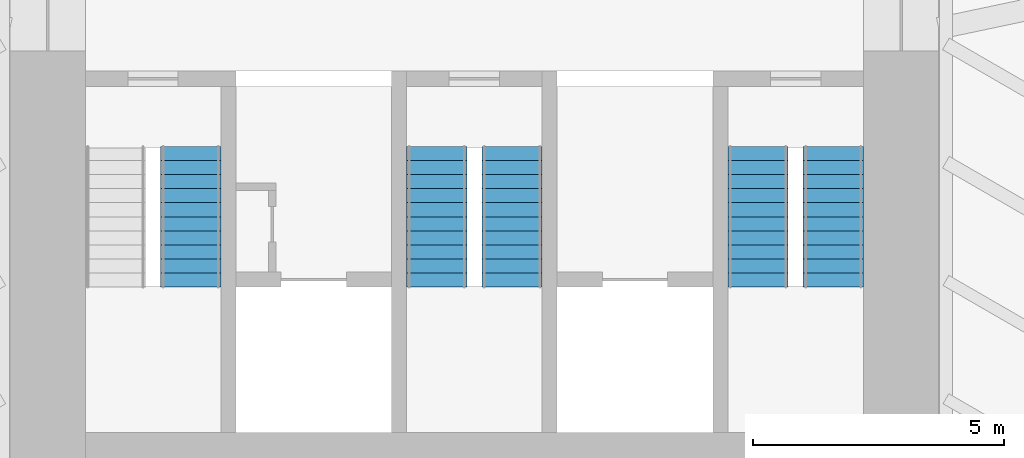
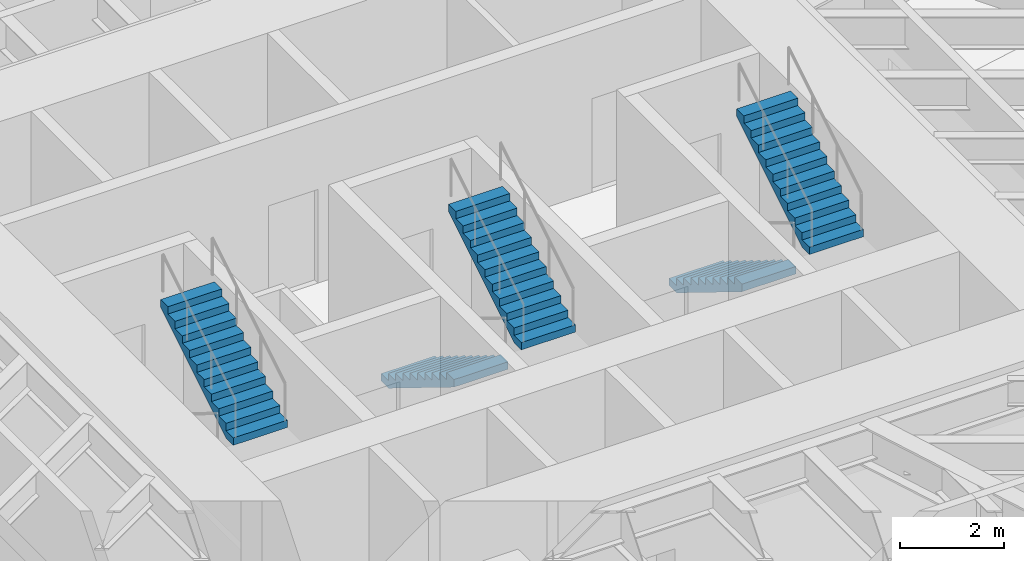
# One storey, part 16 of 17: 5 stair flights, 3 elements without a shape of their own.
"""IFC4 building model written with IfcOpenShell, lengths in metres."""

from ifc_helpers import new_model, si_unit, direction, frame, origin, place, context, subcontext, project, spatial, polyline, outline, extrude, material, type_object, element, aggregate, save


model = new_model("IFC4")

# Units and contexts
model_context = context("Model", 3, precision=1e-05, world=origin(), true_north=direction((0.0, 1.0)))
body_context = subcontext(model_context, "Body", "Model", "MODEL_VIEW")
ifc_project = project(units=[si_unit("LENGTHUNIT", "METRE"), si_unit("AREAUNIT", "SQUARE_METRE"), si_unit("VOLUMEUNIT", "CUBIC_METRE"), si_unit("PLANEANGLEUNIT", "RADIAN"), si_unit("MASSUNIT", "GRAM", prefix="KILO")], contexts=[model_context])

# Site, building, storey
site_placement = place(None, origin())
site = spatial("IfcSite", under=ifc_project, at=site_placement, CompositionType="ELEMENT")
building_placement = place(site_placement, origin())
building = spatial("IfcBuilding", under=site, at=building_placement, Name="Sandreach Pilgrim Tower", CompositionType="ELEMENT")
storey_placement = place(building_placement, frame((0.0, 0.0, 72.39990234375)))
storey = spatial("IfcBuildingStorey", under=building, at=storey_placement, Name="L17", CompositionType="ELEMENT", Elevation=72.39990234375)

# Stair, stair flight
ifc_material_1 = material(Name="Concrete 8000 psi", Category="concrete")
stair_type = type_object("IfcStairType", Name="Core exit stair", PredefinedType="HALF_TURN_STAIR", material=ifc_material_1)
stair_1_placement = place(storey_placement, origin())
stair_1 = element("IfcStair", 1, at=stair_1_placement, inside=storey, type_object=stair_type, Name="Exit stair ST1 L17", PredefinedType="HALF_TURN_STAIR")
ifc_material_2 = material(Name="Concrete 8000 psi", Category="concrete")
stair_flight_type = type_object("IfcStairFlightType", Name="Core stair flight 1200", PredefinedType="STRAIGHT", material=ifc_material_2)
stair_flight_1_placement = place(storey_placement, frame((-5.64990234375, -3.199951171875, 1.900146484375), z_axis=(0.0, 0.0, 1.0), x_axis=(0.0, 1.0, 0.0)))
stair_flight_1 = element("IfcStairFlight", 2, at=stair_flight_1_placement, type_object=stair_flight_type, Name="ST1 flight 2", NumberOfRisers=11, NumberOfTreads=10, PredefinedType="STRAIGHT", RiserHeight=0.172727273, TreadLength=0.28, context=body_context, shape_type="SweptSolid", body=[
    extrude(outline(polyline([(0.0, 0.0), (0.0, 0.172607421875), (0.280029296875, 0.172607421875), (0.280029296875, 0.345458984375), (0.56005859375, 0.345458984375), (0.56005859375, 0.51806640625), (0.840087890625, 0.51806640625), (0.840087890625, 0.69091796875), (1.1201171875, 0.69091796875), (1.1201171875, 0.863525390625), (1.39990234375, 0.863525390625), (1.39990234375, 1.036376953125), (1.679931640625, 1.036376953125), (1.679931640625, 1.208984375), (1.9599609375, 1.208984375), (1.9599609375, 1.3818359375), (2.239990234375, 1.3818359375), (2.239990234375, 1.554443359375), (2.52001953125, 1.554443359375), (2.52001953125, 1.727294921875), (2.800048828125, 1.727294921875), (2.800048828125, 1.89990234375), (2.800048828125, 1.551025390625), (0.285400390625, 0.0), (0.0, 0.0)])), frame((0.0, 0.60009765625, 0.0), z_axis=(0.0, -1.0, 0.0), x_axis=(1.0, 0.0, 0.0)), (0.0, 0.0, 1.0), 1.199951171875),
])
aggregate(stair_1, [stair_flight_1])

# Stair, stair flights
stair_2_placement = place(storey_placement, origin())
stair_2 = element("IfcStair", 3, at=stair_2_placement, inside=storey, type_object=stair_type, Name="Exit stair ST3 L17", PredefinedType="HALF_TURN_STAIR")
stair_flight_2_placement = place(storey_placement, frame((-0.75, -0.39990234375, 0.0), z_axis=(0.0, 0.0, 1.0), x_axis=(0.0, -1.0, 0.0)))
stair_flight_2 = element("IfcStairFlight", 4, at=stair_flight_2_placement, type_object=stair_flight_type, Name="ST3 flight 1", NumberOfRisers=11, NumberOfTreads=10, PredefinedType="STRAIGHT", RiserHeight=0.172727273, TreadLength=0.28, context=body_context, shape_type="SweptSolid", body=[
    extrude(outline(polyline([(0.0, 0.0), (0.0, 0.172607421875), (0.280029296875, 0.172607421875), (0.280029296875, 0.345458984375), (0.56005859375, 0.345458984375), (0.56005859375, 0.51806640625), (0.840087890625, 0.51806640625), (0.840087890625, 0.69091796875), (1.1201171875, 0.69091796875), (1.1201171875, 0.863525390625), (1.39990234375, 0.863525390625), (1.39990234375, 1.036376953125), (1.679931640625, 1.036376953125), (1.679931640625, 1.208984375), (1.9599609375, 1.208984375), (1.9599609375, 1.3818359375), (2.239990234375, 1.3818359375), (2.239990234375, 1.554443359375), (2.52001953125, 1.554443359375), (2.52001953125, 1.727294921875), (2.800048828125, 1.727294921875), (2.800048828125, 1.89990234375), (2.800048828125, 1.551025390625), (0.285400390625, 0.0), (0.0, 0.0)])), frame((0.0, 0.60009765625, 0.0), z_axis=(0.0, -1.0, 0.0), x_axis=(1.0, 0.0, 0.0)), (0.0, 0.0, 1.0), 1.199951171875),
])
stair_flight_3_placement = place(storey_placement, frame((0.75, -3.199951171875, 1.900146484375), z_axis=(0.0, 0.0, 1.0), x_axis=(0.0, 1.0, 0.0)))
stair_flight_3 = element("IfcStairFlight", 5, at=stair_flight_3_placement, type_object=stair_flight_type, Name="ST3 flight 2", NumberOfRisers=11, NumberOfTreads=10, PredefinedType="STRAIGHT", RiserHeight=0.172727273, TreadLength=0.28, context=body_context, shape_type="SweptSolid", body=[
    extrude(outline(polyline([(0.0, 0.0), (0.0, 0.172607421875), (0.280029296875, 0.172607421875), (0.280029296875, 0.345458984375), (0.56005859375, 0.345458984375), (0.56005859375, 0.51806640625), (0.840087890625, 0.51806640625), (0.840087890625, 0.69091796875), (1.1201171875, 0.69091796875), (1.1201171875, 0.863525390625), (1.39990234375, 0.863525390625), (1.39990234375, 1.036376953125), (1.679931640625, 1.036376953125), (1.679931640625, 1.208984375), (1.9599609375, 1.208984375), (1.9599609375, 1.3818359375), (2.239990234375, 1.3818359375), (2.239990234375, 1.554443359375), (2.52001953125, 1.554443359375), (2.52001953125, 1.727294921875), (2.800048828125, 1.727294921875), (2.800048828125, 1.89990234375), (2.800048828125, 1.551025390625), (0.285400390625, 0.0), (0.0, 0.0)])), frame((0.0, 0.60009765625, 0.0), z_axis=(0.0, -1.0, 0.0), x_axis=(1.0, 0.0, 0.0)), (0.0, 0.0, 1.0), 1.199951171875),
])
aggregate(stair_2, [stair_flight_2, stair_flight_3])

stair_3_placement = place(storey_placement, origin())
stair_3 = element("IfcStair", 6, at=stair_3_placement, inside=storey, type_object=stair_type, Name="Exit stair ST2 L17", PredefinedType="HALF_TURN_STAIR")
stair_flight_4_placement = place(storey_placement, frame((5.64990234375, -0.39990234375, 0.0), z_axis=(0.0, 0.0, 1.0), x_axis=(0.0, -1.0, 0.0)))
stair_flight_4 = element("IfcStairFlight", 7, at=stair_flight_4_placement, type_object=stair_flight_type, Name="ST2 flight 1", NumberOfRisers=11, NumberOfTreads=10, PredefinedType="STRAIGHT", RiserHeight=0.172727273, TreadLength=0.28, context=body_context, shape_type="SweptSolid", body=[
    extrude(outline(polyline([(0.0, 0.0), (0.0, 0.172607421875), (0.280029296875, 0.172607421875), (0.280029296875, 0.345458984375), (0.56005859375, 0.345458984375), (0.56005859375, 0.51806640625), (0.840087890625, 0.51806640625), (0.840087890625, 0.69091796875), (1.1201171875, 0.69091796875), (1.1201171875, 0.863525390625), (1.39990234375, 0.863525390625), (1.39990234375, 1.036376953125), (1.679931640625, 1.036376953125), (1.679931640625, 1.208984375), (1.9599609375, 1.208984375), (1.9599609375, 1.3818359375), (2.239990234375, 1.3818359375), (2.239990234375, 1.554443359375), (2.52001953125, 1.554443359375), (2.52001953125, 1.727294921875), (2.800048828125, 1.727294921875), (2.800048828125, 1.89990234375), (2.800048828125, 1.551025390625), (0.285400390625, 0.0), (0.0, 0.0)])), frame((0.0, 0.60009765625, 0.0), z_axis=(0.0, -1.0, 0.0), x_axis=(1.0, 0.0, 0.0)), (0.0, 0.0, 1.0), 1.199951171875),
])
stair_flight_5_placement = place(storey_placement, frame((7.14990234375, -3.199951171875, 1.900146484375), z_axis=(0.0, 0.0, 1.0), x_axis=(0.0, 1.0, 0.0)))
stair_flight_5 = element("IfcStairFlight", 8, at=stair_flight_5_placement, type_object=stair_flight_type, Name="ST2 flight 2", NumberOfRisers=11, NumberOfTreads=10, PredefinedType="STRAIGHT", RiserHeight=0.172727273, TreadLength=0.28, context=body_context, shape_type="SweptSolid", body=[
    extrude(outline(polyline([(0.0, 0.0), (0.0, 0.172607421875), (0.280029296875, 0.172607421875), (0.280029296875, 0.345458984375), (0.56005859375, 0.345458984375), (0.56005859375, 0.51806640625), (0.840087890625, 0.51806640625), (0.840087890625, 0.69091796875), (1.1201171875, 0.69091796875), (1.1201171875, 0.863525390625), (1.39990234375, 0.863525390625), (1.39990234375, 1.036376953125), (1.679931640625, 1.036376953125), (1.679931640625, 1.208984375), (1.9599609375, 1.208984375), (1.9599609375, 1.3818359375), (2.239990234375, 1.3818359375), (2.239990234375, 1.554443359375), (2.52001953125, 1.554443359375), (2.52001953125, 1.727294921875), (2.800048828125, 1.727294921875), (2.800048828125, 1.89990234375), (2.800048828125, 1.551025390625), (0.285400390625, 0.0), (0.0, 0.0)])), frame((0.0, 0.60009765625, 0.0), z_axis=(0.0, -1.0, 0.0), x_axis=(1.0, 0.0, 0.0)), (0.0, 0.0, 1.0), 1.199951171875),
])
aggregate(stair_3, [stair_flight_4, stair_flight_5])

save(model, "model.ifc")
